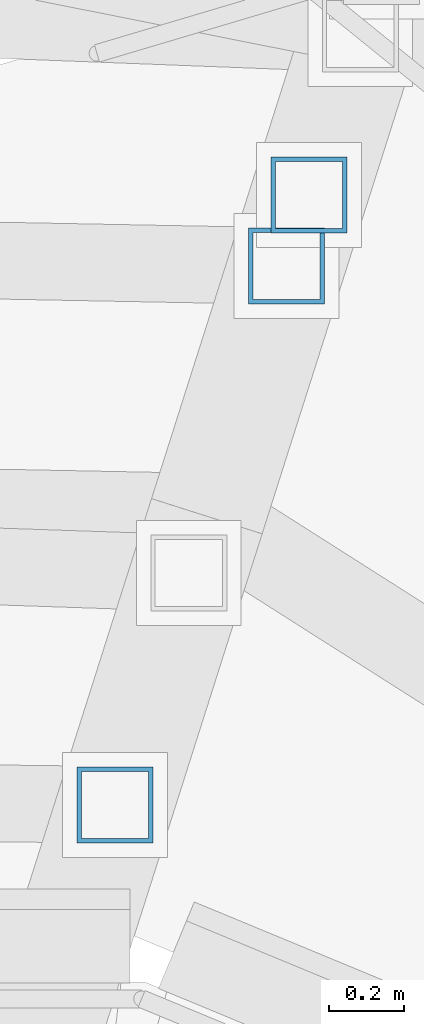
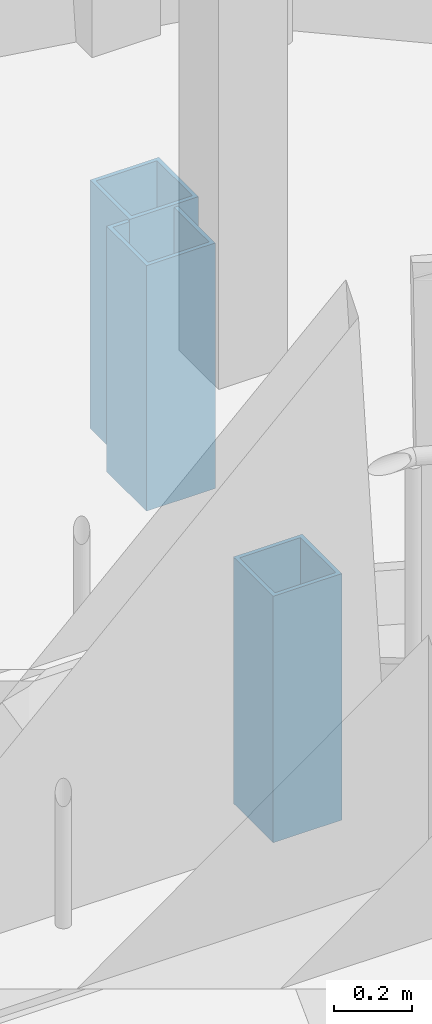
# One storey, part 84 of 139: 3 members.
"""IFC4 building model written with IfcOpenShell, lengths in metres."""

import ifcopenshell
import ifcopenshell.guid

model = None  # the IFC model being written
_history = None  # IfcOwnerHistory: only IFC2X3 demands one
_inside = {}  # id of a spatial element -> (the spatial element, [elements in it])
_under = {}  # id of a project, library or spatial element -> (it, [spatial elements below it])
_declared = {}  # id of a project -> (the project, [libraries it declares])
_typed = {}  # id of a type object -> (the type object, [elements of that type])
_made_of = {}  # id of a material, layer set ... -> (it, [elements and type objects made of it])


def new_model(schema):
    """Start an empty IFC model of exactly this schema.

    Asked for "IFC4X3", IfcOpenShell would pick the latest addendum, in which some entities
    have other attributes; the version numbers below select the first issue.
    IFC2X3 requires an IfcOwnerHistory on every rooted entity: one is made here for all.
    """
    global model, _history
    if schema == "IFC4X3":
        model = ifcopenshell.file(schema_version=(4, 3, 0, 0))
    else:
        model = ifcopenshell.file(schema=schema)
    _inside.clear()
    _under.clear()
    _declared.clear()
    _typed.clear()
    _made_of.clear()
    _history = None
    if model.schema == "IFC2X3":
        org = make("IfcOrganization", Name="unknown")
        user = make(
            "IfcPersonAndOrganization",
            ThePerson=make("IfcPerson", FamilyName="unknown"),
            TheOrganization=org,
        )
        app = make(
            "IfcApplication",
            ApplicationDeveloper=org,
            Version="unknown",
            ApplicationFullName="unknown",
            ApplicationIdentifier="unknown",
        )
        _history = make(
            "IfcOwnerHistory",
            OwningUser=user,
            OwningApplication=app,
            ChangeAction="ADDED",
            CreationDate=0,
        )
    return model


def make(cls, **values):
    """One entity of the class cls with the attributes given. An attribute that is None is left unset."""
    return model.create_entity(
        cls, **{name: value for name, value in values.items() if value is not None}
    )


def rooted(cls, **values):
    """An entity with a GlobalId (a new one), such as an element, a storey or a relation."""
    return make(cls, GlobalId=ifcopenshell.guid.new(), OwnerHistory=_history, **values)


def si_unit(unit_type, name, prefix=None):
    """IfcSIUnit, for example si_unit("LENGTHUNIT", "METRE", prefix="MILLI")."""
    return make("IfcSIUnit", UnitType=unit_type, Prefix=prefix, Name=name)


def derived_unit(unit_type, elements):
    """IfcDerivedUnit: a product of units, each with its exponent."""
    return make(
        "IfcDerivedUnit",
        Elements=[
            make("IfcDerivedUnitElement", Unit=unit, Exponent=power)
            for unit, power in elements
        ],
        UnitType=unit_type,
    )


def assignment(units):
    """IfcUnitAssignment: the units of a project."""
    return None if units is None else make("IfcUnitAssignment", Units=units)


def point(xyz):
    """IfcCartesianPoint."""
    return None if xyz is None else make("IfcCartesianPoint", Coordinates=xyz)


def direction(xyz):
    """IfcDirection."""
    return None if xyz is None else make("IfcDirection", DirectionRatios=xyz)


def frame(location, z_axis=None, x_axis=None):
    """IfcAxis2Placement3D, a coordinate frame: its origin and axes. An axis left out is left unset."""
    return make(
        "IfcAxis2Placement3D",
        Location=point(location),
        Axis=direction(z_axis),
        RefDirection=direction(x_axis),
    )


def frame_2d(location, x_axis=None):
    """IfcAxis2Placement2D, a coordinate frame in the plane: its origin and x axis."""
    return make(
        "IfcAxis2Placement2D", Location=point(location), RefDirection=direction(x_axis)
    )


def origin():
    """The frame at (0, 0, 0) with its axes left unset."""
    return frame((0.0, 0.0, 0.0))


def origin_2d():
    """The frame at (0, 0) in the plane with its x axis left unset."""
    return frame_2d((0.0, 0.0))


def place(relative_to, where):
    """IfcLocalPlacement: puts the frame where relative to a parent placement (None: the world)."""
    return make(
        "IfcLocalPlacement", PlacementRelTo=relative_to, RelativePlacement=where
    )


def context(
    kind, dimensions, precision=None, world=None, true_north=None, identifier=None
):
    """IfcGeometricRepresentationContext, for example the 3D "Model" context."""
    return make(
        "IfcGeometricRepresentationContext",
        ContextIdentifier=identifier,
        ContextType=kind,
        CoordinateSpaceDimension=dimensions,
        Precision=precision,
        WorldCoordinateSystem=world,
        TrueNorth=true_north,
    )


def subcontext(parent, identifier, kind, view, scale=None):
    """IfcGeometricRepresentationSubContext, for example "Body" below "Model"."""
    return make(
        "IfcGeometricRepresentationSubContext",
        ContextIdentifier=identifier,
        ContextType=kind,
        ParentContext=parent,
        TargetScale=scale,
        TargetView=view,
    )


def project(units=None, contexts=None):
    """IfcProject with its units and contexts."""
    return rooted(
        "IfcProject",
        Name="project",
        RepresentationContexts=contexts,
        UnitsInContext=assignment(units),
    )


def spatial(cls, under=None, at=None, **own):
    """A site, building, storey or space (cls), placed at a placement, below another one or the project."""
    s = rooted(cls, ObjectPlacement=at, **own)
    if under is not None:
        _under.setdefault(under.id(), (under, []))[1].append(s)
    return s


def profile(cls, at=None, kind="AREA", **sizes):
    """A parametric profile (cls). Its sizes go by their IFC names, for example OverallWidth=200.0."""
    return make(cls, ProfileType=kind, Position=at, **sizes)


def hollow_rectangle(**sizes):
    """IfcRectangleHollowProfileDef."""
    return profile("IfcRectangleHollowProfileDef", **sizes)


def extrude(swept, where, along, depth):
    """IfcExtrudedAreaSolid: the profile swept, set in the frame where, extruded along a direction by depth."""
    return make(
        "IfcExtrudedAreaSolid",
        SweptArea=swept,
        Position=where,
        ExtrudedDirection=direction(along),
        Depth=depth,
    )


def shape(context_of_items, identifier, shape_type, items):
    """IfcShapeRepresentation: the items that make up one representation, for example the "Body"."""
    return make(
        "IfcShapeRepresentation",
        ContextOfItems=context_of_items,
        RepresentationIdentifier=identifier,
        RepresentationType=shape_type,
        Items=items,
    )


def material(Name=None, Category=None):
    """IfcMaterial."""
    return make("IfcMaterial", Name=Name, Category=Category)


def material_profile(
    of_material, cross_section, Name=None, Category=None, Priority=None
):
    """IfcMaterialProfile: a cross section and its material."""
    return make(
        "IfcMaterialProfile",
        Name=Name,
        Material=of_material,
        Profile=cross_section,
        Priority=Priority,
        Category=Category,
    )


def profile_set(profiles, Name=None, composite=None):
    """IfcMaterialProfileSet."""
    return make(
        "IfcMaterialProfileSet",
        Name=Name,
        MaterialProfiles=profiles,
        CompositeProfile=composite,
    )


def made_of(thing, what):
    """Note that an element or type object is made of a material, layer set ...; save() writes the relation."""
    if what is not None:
        _made_of.setdefault(what.id(), (what, []))[1].append(thing)
    return thing


def type_object(cls, material=None, **own):
    """A type object (cls), such as IfcWallType, which elements share."""
    return made_of(rooted(cls, **own), material)


def element(
    cls,
    number,
    at=None,
    inside=None,
    cuts=None,
    type_object=None,
    material=None,
    context=None,
    identifier="Body",
    shape_type=None,
    held_by="IfcProductDefinitionShape",
    body=None,
    shapes=None,
    **own,
):
    """One element of the class cls, such as IfcWall. Its Tag is "e" and its number.

    at: its placement. inside: the storey or other place that contains it. cuts: it is an
    opening in that element (IfcRelVoidsElement). A single representation is given by context,
    identifier, shape_type and body (its items); several are given by shapes. held_by: the class
    of the entity that holds the representations. save() writes the other relations.
    """
    e = rooted(cls, Tag="e%d" % number, ObjectPlacement=at, **own)
    if body is not None:
        shapes = [shape(context, identifier, shape_type, body)]
    if shapes is not None:
        e.Representation = make(held_by, Representations=shapes)
    if inside is not None:
        _inside.setdefault(inside.id(), (inside, []))[1].append(e)
    if cuts is not None:
        rooted(
            "IfcRelVoidsElement", RelatingBuildingElement=cuts, RelatedOpeningElement=e
        )
    if type_object is not None:
        _typed.setdefault(type_object.id(), (type_object, []))[1].append(e)
    return made_of(e, material)


def aggregate(whole, parts):
    """IfcRelAggregates: a whole, such as a stair, and the parts it consists of."""
    return rooted("IfcRelAggregates", RelatingObject=whole, RelatedObjects=parts)


def save(model, path):
    """Write the relations noted so far, then the file.

    IfcRelAggregates (storeys below a building ...), IfcRelContainedInSpatialStructure (elements
    in a storey), IfcRelDefinesByType, IfcRelAssociatesMaterial and IfcRelDeclares: one each for
    every whole, place, type object, material and project.
    """
    for whole, parts in _under.values():
        aggregate(whole, parts)
    for where, things in _inside.values():
        rooted(
            "IfcRelContainedInSpatialStructure",
            RelatedElements=things,
            RelatingStructure=where,
        )
    for kind, things in _typed.values():
        rooted("IfcRelDefinesByType", RelatedObjects=things, RelatingType=kind)
    for what, things in _made_of.values():
        rooted("IfcRelAssociatesMaterial", RelatedObjects=things, RelatingMaterial=what)
    for by, libraries in _declared.values():
        rooted("IfcRelDeclares", RelatingContext=by, RelatedDefinitions=libraries)
    model.write(path)


model = new_model("IFC4")

# Units and contexts
model_context = context("Model", 3, precision=1e-05, world=origin(), true_north=direction((0.0, 1.0)))
body_context = subcontext(model_context, "Body", "Model", "MODEL_VIEW")
ifc_project = project(units=[si_unit("LENGTHUNIT", "METRE"), si_unit("AREAUNIT", "SQUARE_METRE"), si_unit("VOLUMEUNIT", "CUBIC_METRE"), si_unit("PLANEANGLEUNIT", "RADIAN"), si_unit("MASSUNIT", "GRAM", prefix="KILO"), derived_unit("THERMALTRANSMITTANCEUNIT", [(si_unit("MASSUNIT", "GRAM", prefix="KILO"), 1), (si_unit("TIMEUNIT", "SECOND"), -3), (si_unit("THERMODYNAMICTEMPERATUREUNIT", "KELVIN"), -1)])], contexts=[model_context])

# Site, building, storey
site_placement = place(None, origin())
site = spatial("IfcSite", under=ifc_project, at=site_placement, CompositionType="ELEMENT")
building_placement = place(site_placement, origin())
building = spatial("IfcBuilding", under=site, at=building_placement, Name="Makaiwela Harbour Ferry Terminal", CompositionType="ELEMENT")
storey_placement = place(building_placement, frame((0.0, 0.0, 5.10009765625)))
storey = spatial("IfcBuildingStorey", under=building, at=storey_placement, Name="L01", CompositionType="ELEMENT", Elevation=5.10009765625)

# Members
ifc_material = material(Name="Steel ASTM A500 Grade C", Category="steel")
ifc_material_profile = material_profile(ifc_material, hollow_rectangle(XDim=0.202880859375, YDim=0.202880859375, WallThickness=0.01171875, at=origin_2d()), Name="HSS8X8X1/2")
ifc_profile_set = profile_set([ifc_material_profile], Name="Steel ASTM A500 Grade C")
member_type = type_object("IfcMemberType", Name="STR-PST-HSS8", PredefinedType="POST", material=ifc_profile_set)
member_1_placement = place(storey_placement, frame((41.77197265625, 89.87939453125, -0.300048828125), z_axis=(0.0, 0.0, 1.0), x_axis=(1.0, 0.0, 0.0)))
element("IfcMember", 1, at=member_1_placement, inside=storey, type_object=member_type, Name="Exterior Ramp Support Post RP-0079", PredefinedType="POST", context=body_context, shape_type="SweptSolid", body=[
    extrude(hollow_rectangle(XDim=0.202880859375, YDim=0.202880859375, WallThickness=0.01171875, at=origin_2d()), origin(), (0.0, 0.0, 1.0), 0.767822265625),
])
member_2_placement = place(storey_placement, frame((42.2294921875, 91.318359375, -0.300048828125), z_axis=(0.0, 0.0, 1.0), x_axis=(1.0, 0.0, 0.0)))
element("IfcMember", 2, at=member_2_placement, inside=storey, type_object=member_type, Name="Exterior Ramp Support Post RP-0084", PredefinedType="POST", context=body_context, shape_type="SweptSolid", body=[
    extrude(hollow_rectangle(XDim=0.202880859375, YDim=0.202880859375, WallThickness=0.01171875, at=origin_2d()), origin(), (0.0, 0.0, 1.0), 0.764892578125),
])
member_3_placement = place(storey_placement, frame((42.289794921875, 91.508056640625, -0.300048828125), z_axis=(0.0, 0.0, 1.0), x_axis=(1.0, 0.0, 0.0)))
element("IfcMember", 3, at=member_3_placement, inside=storey, type_object=member_type, Name="Exterior Ramp Support Post RP-0085", PredefinedType="POST", context=body_context, shape_type="SweptSolid", body=[
    extrude(hollow_rectangle(XDim=0.202880859375, YDim=0.202880859375, WallThickness=0.01171875, at=origin_2d()), origin(), (0.0, 0.0, 1.0), 0.77294921875),
])

save(model, "model.ifc")
